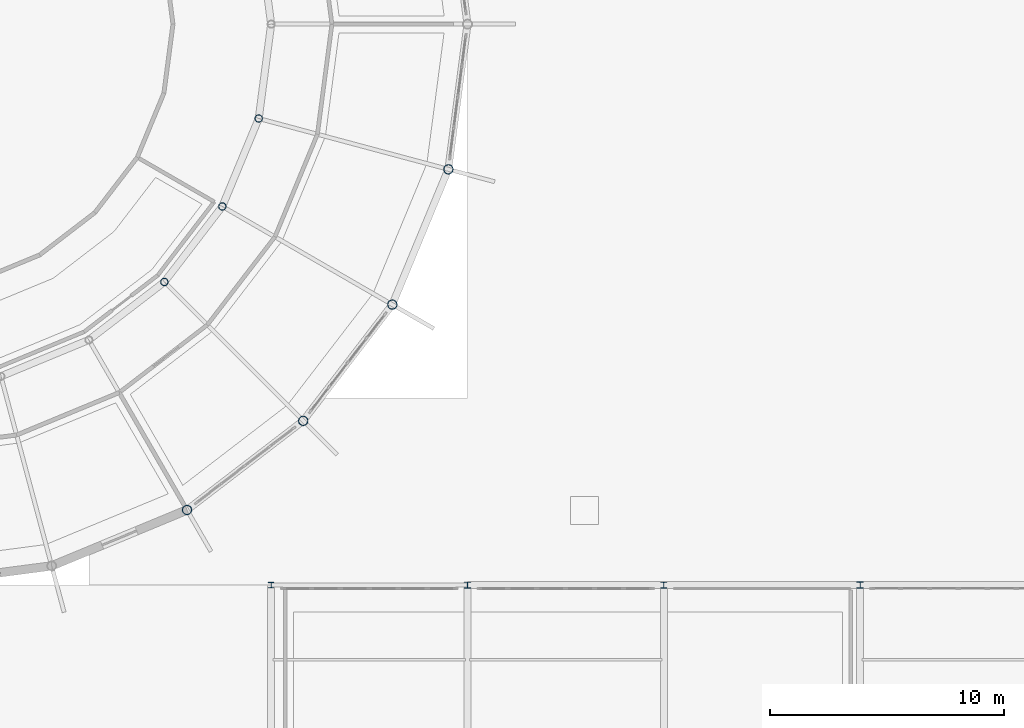
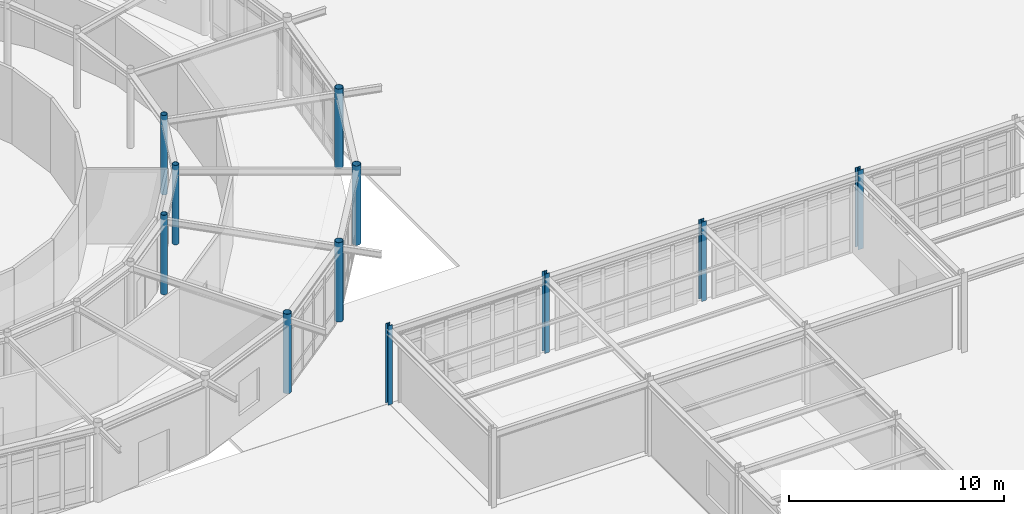
# One storey, part 10 of 101: 11 columns.
"""IFC4 building model written with IfcOpenShell, lengths in metres."""

from ifc_helpers import new_model, si_unit, derived_unit, direction, frame, origin, origin_2d, place, context, subcontext, project, spatial, hollow_circle, i_section, extrude, material, material_profile, profile_set, type_object, element, save


model = new_model("IFC4")

# Units and contexts
model_context = context("Model", 3, precision=1e-05, world=origin(), true_north=direction((0.0, 1.0)))
body_context = subcontext(model_context, "Body", "Model", "MODEL_VIEW")
ifc_project = project(units=[si_unit("LENGTHUNIT", "METRE"), si_unit("AREAUNIT", "SQUARE_METRE"), si_unit("VOLUMEUNIT", "CUBIC_METRE"), si_unit("PLANEANGLEUNIT", "RADIAN"), si_unit("MASSUNIT", "GRAM", prefix="KILO"), derived_unit("THERMALTRANSMITTANCEUNIT", [(si_unit("POWERUNIT", "WATT"), 1), (si_unit("AREAUNIT", "SQUARE_METRE"), -1), (si_unit("THERMODYNAMICTEMPERATUREUNIT", "KELVIN"), -1)])], contexts=[model_context])

# Site, building, storey
site_placement = place(None, origin())
site = spatial("IfcSite", under=ifc_project, at=site_placement, CompositionType="ELEMENT")
building_placement = place(site_placement, origin())
building = spatial("IfcBuilding", under=site, at=building_placement, Name="Yasenodar Specialist Clinic", CompositionType="ELEMENT")
storey_placement = place(building_placement, origin())
storey = spatial("IfcBuildingStorey", under=building, at=storey_placement, Name="L00", CompositionType="ELEMENT", Elevation=0.0)

# Columns
ifc_material = material(Name="Steel S355", Category="steel")
ifc_material_profile_1 = material_profile(ifc_material, hollow_circle(Radius=0.161865234375, WallThickness=0.01611328125, at=origin_2d()), Name="CHS 323.9x16")
ifc_profile_set_1 = profile_set([ifc_material_profile_1], Name="Steel S355")
column_type_1 = type_object("IfcColumnType", Name="COL-ST-CHS324", PredefinedType="COLUMN", material=ifc_profile_set_1)
for number, where, z_axis, x_axis, name in (
    (1, (92.031005859375, 47.76904296875, 0.0), (0.0, 0.0, 1.0), (1.0, 0.0, 0.0), "L00 Drum V1 Inner Column 22"),
    (2, (94.510009765625, 51.0, 0.0), (0.0, 0.0, 1.0), (1.0, 0.0, 0.0), "L00 Drum V1 Inner Column 23"),
    (3, (96.068359375, 54.762451171875, 0.0), (0.0, 0.0, 1.0), (1.0, 0.0, 0.0), "L00 Drum V1 Inner Column 24"),
):
    element("IfcColumn", number, at=place(storey_placement, frame(where, z_axis=z_axis, x_axis=x_axis)), inside=storey, type_object=column_type_1, Name=name, PredefinedType="COLUMN", context=body_context, shape_type="SweptSolid", body=[
        extrude(hollow_circle(Radius=0.161865234375, WallThickness=0.01611328125, at=origin_2d()), origin(), (0.0, 0.0, 1.0), 4.5),
    ])
ifc_material_profile_2 = material_profile(ifc_material, hollow_circle(Radius=0.203125, WallThickness=0.01611328125, at=origin_2d()), Name="CHS 406.4x16")
ifc_profile_set_2 = profile_set([ifc_material_profile_2], Name="Steel S355")
column_type_2 = type_object("IfcColumnType", Name="COL-ST-CHS406", PredefinedType="COLUMN", material=ifc_profile_set_2)
for number, where, z_axis, x_axis, name in (
    (4, (93.0, 38.015380859375, 0.0), (0.0, 0.0, 1.0), (1.0, 0.0, 0.0), "L00 Drum V1 Outer Column 21"),
    (5, (97.970703125, 41.829345703125, 0.0), (0.0, 0.0, 1.0), (1.0, 0.0, 0.0), "L00 Drum V1 Outer Column 22"),
    (6, (101.78466796875, 46.800048828125, 0.0), (0.0, 0.0, 1.0), (1.0, 0.0, 0.0), "L00 Drum V1 Outer Column 23"),
    (7, (104.18212890625, 52.58837890625, 0.0), (0.0, 0.0, 1.0), (1.0, 0.0, 0.0), "L00 Drum V1 Outer Column 24"),
):
    element("IfcColumn", number, at=place(storey_placement, frame(where, z_axis=z_axis, x_axis=x_axis)), inside=storey, type_object=column_type_2, Name=name, PredefinedType="COLUMN", context=body_context, shape_type="SweptSolid", body=[
        extrude(hollow_circle(Radius=0.203125, WallThickness=0.01611328125, at=origin_2d()), origin(), (0.0, 0.0, 1.0), 4.5),
    ])
ifc_material_profile_3 = material_profile(ifc_material, i_section(OverallWidth=0.239990234375, OverallDepth=0.239990234375, WebThickness=0.010009765625, FlangeThickness=0.01708984375, FilletRadius=0.02099609375, at=origin_2d()), Name="HEB 240")
ifc_profile_set_3 = profile_set([ifc_material_profile_3], Name="Steel S355")
column_type_3 = type_object("IfcColumnType", Name="COL-ST-HEB240", PredefinedType="COLUMN", material=ifc_profile_set_3)
column_1_placement = place(storey_placement, frame((96.60009765625, 34.800048828125, 0.0), z_axis=(0.0, 0.0, 1.0), x_axis=(1.0, 0.0, 0.0)))
element("IfcColumn", 8, at=column_1_placement, inside=storey, type_object=column_type_3, Name="L00 Column V3-112", PredefinedType="COLUMN", context=body_context, shape_type="SweptSolid", body=[
    extrude(i_section(OverallWidth=0.239990234375, OverallDepth=0.239990234375, WebThickness=0.010009765625, FlangeThickness=0.01708984375, FilletRadius=0.02099609375, at=origin_2d()), origin(), (0.0, 0.0, 1.0), 4.5),
])
ifc_material_profile_4 = material_profile(ifc_material, i_section(OverallWidth=0.260009765625, OverallDepth=0.260009765625, WebThickness=0.010009765625, FlangeThickness=0.017578125, FilletRadius=0.02392578125, at=origin_2d()), Name="HEB 260")
ifc_profile_set_4 = profile_set([ifc_material_profile_4], Name="Steel S355")
column_type_4 = type_object("IfcColumnType", Name="COL-ST-HEB260", PredefinedType="COLUMN", material=ifc_profile_set_4)
for number, where, z_axis, x_axis, name in (
    (9, (105.0, 34.800048828125, 0.0), (0.0, 0.0, 1.0), (1.0, 0.0, 0.0), "L00 Column V3-121"),
    (10, (113.39990234375, 34.800048828125, 0.0), (0.0, 0.0, 1.0), (1.0, 0.0, 0.0), "L00 Column V3-131"),
):
    element("IfcColumn", number, at=place(storey_placement, frame(where, z_axis=z_axis, x_axis=x_axis)), inside=storey, type_object=column_type_4, Name=name, PredefinedType="COLUMN", context=body_context, shape_type="SweptSolid", body=[
        extrude(i_section(OverallWidth=0.260009765625, OverallDepth=0.260009765625, WebThickness=0.010009765625, FlangeThickness=0.017578125, FilletRadius=0.02392578125, at=origin_2d()), origin(), (0.0, 0.0, 1.0), 4.5),
    ])
ifc_material_profile_5 = material_profile(ifc_material, i_section(OverallWidth=0.280029296875, OverallDepth=0.280029296875, WebThickness=0.010498046875, FlangeThickness=0.01806640625, FilletRadius=0.02392578125, at=origin_2d()), Name="HEB 280")
ifc_profile_set_5 = profile_set([ifc_material_profile_5], Name="Steel S355")
column_type_5 = type_object("IfcColumnType", Name="COL-ST-HEB280", PredefinedType="COLUMN", material=ifc_profile_set_5)
column_2_placement = place(storey_placement, frame((121.800048828125, 34.800048828125, 0.0), z_axis=(0.0, 0.0, 1.0), x_axis=(1.0, 0.0, 0.0)))
element("IfcColumn", 11, at=column_2_placement, inside=storey, type_object=column_type_5, Name="L00 Column V3-140", PredefinedType="COLUMN", context=body_context, shape_type="SweptSolid", body=[
    extrude(i_section(OverallWidth=0.280029296875, OverallDepth=0.280029296875, WebThickness=0.010498046875, FlangeThickness=0.01806640625, FilletRadius=0.02392578125, at=origin_2d()), origin(), (0.0, 0.0, 1.0), 4.5),
])

save(model, "model.ifc")
